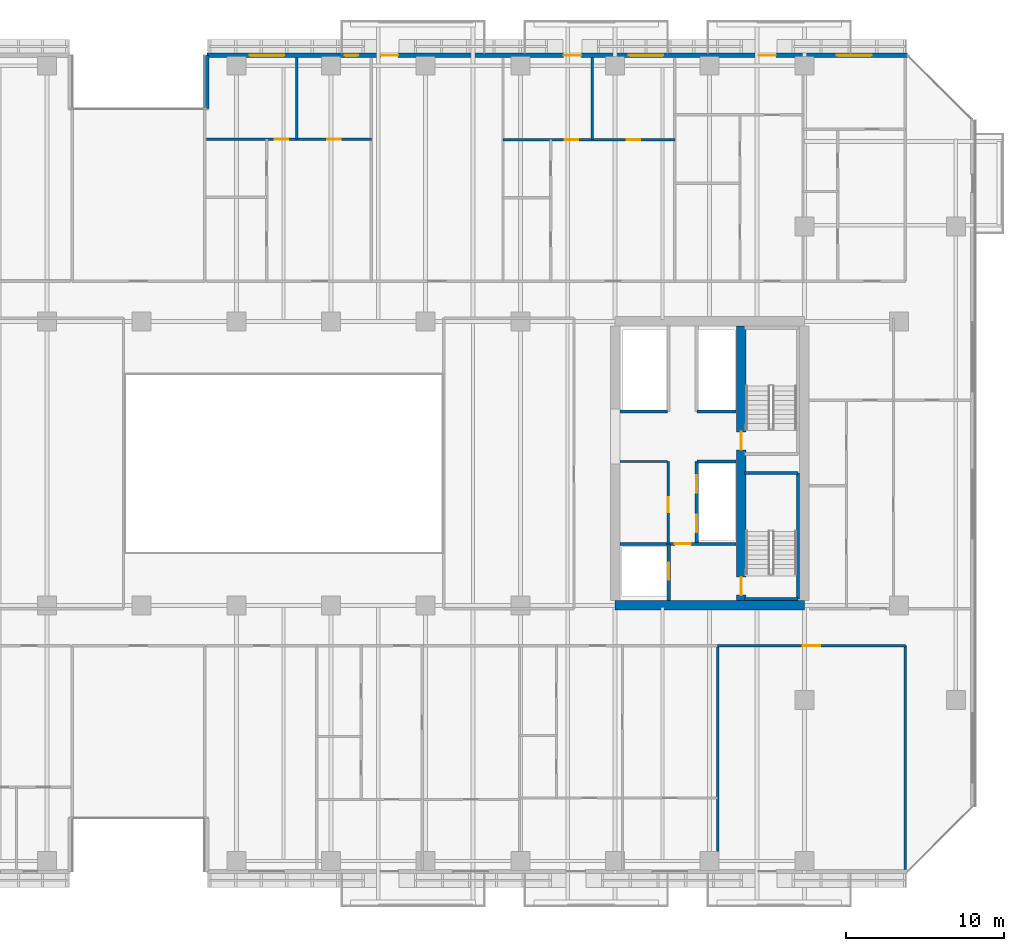
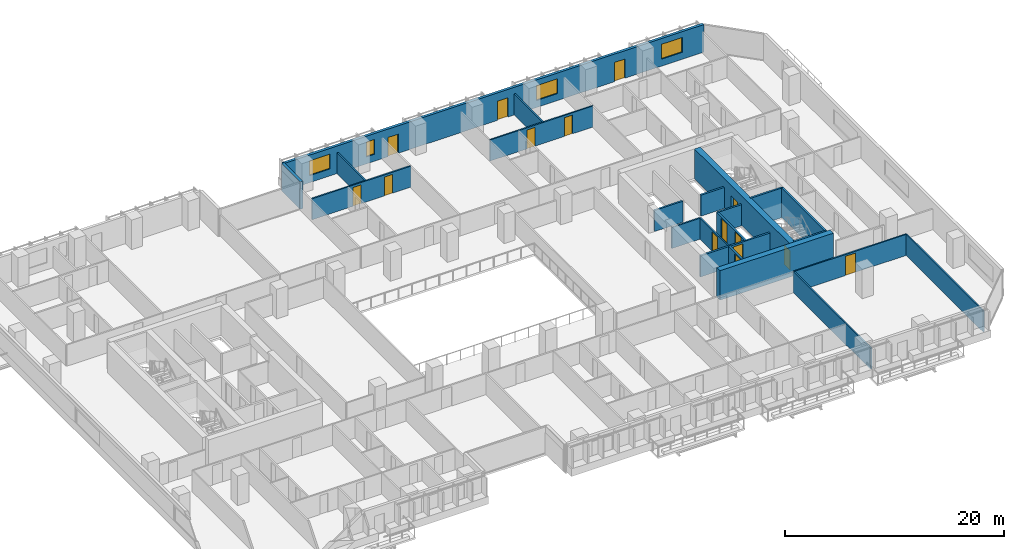
# One storey, part 22 of 33: 22 walls, 15 doors, 4 windows, 19 openings.
"""IFC4 building model written with IfcOpenShell, lengths in metres."""

from ifc_helpers import new_model, si_unit, direction, frame, frame_2d, origin, place, context, subcontext, project, spatial, rectangle, extrude, material, layer, layer_set, type_object, element, fill, save


model = new_model("IFC4")

# Units and contexts
model_context = context("Model", 3, precision=1e-05, world=origin(), true_north=direction((0.0, 1.0)))
body_context = subcontext(model_context, "Body", "Model", "MODEL_VIEW")
ifc_project = project(units=[si_unit("LENGTHUNIT", "METRE"), si_unit("AREAUNIT", "SQUARE_METRE"), si_unit("VOLUMEUNIT", "CUBIC_METRE"), si_unit("PLANEANGLEUNIT", "RADIAN"), si_unit("MASSUNIT", "GRAM", prefix="KILO")], contexts=[model_context])

# Site, building, storey
site_placement = place(None, origin())
site = spatial("IfcSite", under=ifc_project, at=site_placement, CompositionType="ELEMENT")
building_placement = place(site_placement, origin())
building = spatial("IfcBuilding", under=site, at=building_placement, Name="Tanjung Sevakor Pilgrim Tower", CompositionType="ELEMENT")
storey_placement = place(building_placement, frame((0.0, 0.0, 52.139892578125)))
storey = spatial("IfcBuildingStorey", under=building, at=storey_placement, Name="L14", CompositionType="ELEMENT", Elevation=52.139892578125)

# Wall
ifc_material_1 = material(Name="Concrete C60/75", Category="concrete")
ifc_layer_1 = layer(ifc_material_1, 0.60009765625)
ifc_layer_set_1 = layer_set([ifc_layer_1], Name="WALL-CW-600")
wall_type_1 = type_object("IfcWallType", Name="WALL-CW-600", PredefinedType="SHEAR", material=ifc_layer_set_1)
wall_1_placement = place(storey_placement, frame((78.0, 24.60009765625, 0.0), z_axis=(0.0, 0.0, 1.0), x_axis=(1.0, 0.0, 0.0)))
element("IfcWall", 1, at=wall_1_placement, inside=storey, type_object=wall_type_1, Name="L14 E Core South Shear Wall", PredefinedType="SHEAR", context=body_context, shape_type="SweptSolid", body=[
    extrude(rectangle(XDim=12.0, YDim=0.60009765625, at=frame_2d((6.0, 0.0))), origin(), (0.0, 0.0, 1.0), 3.300048828125),
])

# Wall, openings, doors
wall_2_placement = place(storey_placement, frame((86.0, 24.89990234375, 0.0), z_axis=(0.0, 0.0, 1.0), x_axis=(0.0, 1.0, 0.0)))
wall_2 = element("IfcWall", 2, at=wall_2_placement, inside=storey, type_object=wall_type_1, Name="L14 E Core Stair Spine Wall", PredefinedType="SHEAR", context=body_context, shape_type="SweptSolid", body=[
    extrude(rectangle(XDim=17.400146484375, YDim=0.60009765625, at=frame_2d((8.7001953125, 0.0))), origin(), (0.0, 0.0, 1.0), 3.300048828125),
])
opening_1_placement = place(wall_2_placement, frame((0.35009765625, 0.0, 0.0)))
opening_1 = element("IfcOpeningElement", 3, at=opening_1_placement, cuts=wall_2, Name="Opening ID-ST1", PredefinedType="OPENING", context=body_context, shape_type="SweptSolid", body=[
    extrude(rectangle(XDim=1.14990234375, YDim=2.14990234375, at=frame_2d((0.574951171875, 1.074951171875))), frame((0.0, 0.31005859375, 0.0), z_axis=(0.0, -1.0, 0.0), x_axis=(1.0, 0.0, 0.0)), (0.0, 0.0, 1.0), 0.6201171875),
])
opening_2_placement = place(wall_2_placement, frame((9.550048828125, 0.0, 0.0)))
opening_2 = element("IfcOpeningElement", 4, at=opening_2_placement, cuts=wall_2, Name="Opening ID-ST1", PredefinedType="OPENING", context=body_context, shape_type="SweptSolid", body=[
    extrude(rectangle(XDim=1.14990234375, YDim=2.14990234375, at=frame_2d((0.574951171875, 1.074951171875))), frame((0.0, 0.31005859375, 0.0), z_axis=(0.0, -1.0, 0.0), x_axis=(1.0, 0.0, 0.0)), (0.0, 0.0, 1.0), 0.6201171875),
])
ifc_material_2 = material(Name="Fire-Rated Steel S355J2", Category="steel")
door_type_1 = type_object("IfcDoorType", Name="DT-FIRE-1150", OperationType="NOTDEFINED", PredefinedType="DOOR", material=ifc_material_2)
door_1_placement = place(opening_1_placement, origin())
door_1 = element("IfcDoor", 5, at=door_1_placement, inside=storey, type_object=door_type_1, Name="L14 TS-E1 Stair Fire Door", OperationType="SINGLE_SWING_LEFT", OverallHeight=2.14990234375, OverallWidth=1.14990234375, PredefinedType="DOOR", context=body_context, shape_type="SweptSolid", body=[
    extrude(rectangle(XDim=1.14990234375, YDim=2.14990234375, at=frame_2d((0.574951171875, 1.074951171875))), frame((0.0, 0.02490234375, 0.0), z_axis=(0.0, -1.0, 0.0), x_axis=(1.0, 0.0, 0.0)), (0.0, 0.0, 1.0), 0.050048828125),
])
fill(opening_1, door_1)
door_2_placement = place(opening_2_placement, origin())
door_2 = element("IfcDoor", 6, at=door_2_placement, inside=storey, type_object=door_type_1, Name="L14 TS-E2 Stair Fire Door", OperationType="SINGLE_SWING_RIGHT", OverallHeight=2.14990234375, OverallWidth=1.14990234375, PredefinedType="DOOR", context=body_context, shape_type="SweptSolid", body=[
    extrude(rectangle(XDim=1.14990234375, YDim=2.14990234375, at=frame_2d((0.574951171875, 1.074951171875))), frame((0.0, 0.02490234375, 0.0), z_axis=(0.0, -1.0, 0.0), x_axis=(1.0, 0.0, 0.0)), (0.0, 0.0, 1.0), 0.050048828125),
])
fill(opening_2, door_2)

# Wall
ifc_material_3 = material(Name="Concrete C40/50", Category="concrete")
ifc_layer_2 = layer(ifc_material_3, 0.14990234375)
ifc_layer_set_2 = layer_set([ifc_layer_2], Name="WT-COMP-150")
wall_type_2 = type_object("IfcWallType", Name="WT-COMP-150", PredefinedType="SOLIDWALL", material=ifc_layer_set_2)
wall_3_placement = place(storey_placement, frame((78.320068359375, 33.719970703125, 0.0), z_axis=(0.0, 0.0, 1.0), x_axis=(1.0, 0.0, 0.0)))
element("IfcWall", 7, at=wall_3_placement, inside=storey, type_object=wall_type_2, Name="L14 Partition IW-L14-015", PredefinedType="SOLIDWALL", context=body_context, shape_type="SweptSolid", body=[
    extrude(rectangle(XDim=3.0, YDim=0.14990234375, at=frame_2d((1.5, 0.0))), origin(), (0.0, 0.0, 1.0), 2.35009765625),
])

# Wall, opening, door
wall_4_placement = place(storey_placement, frame((81.3798828125, 28.5, 0.0), z_axis=(0.0, 0.0, 1.0), x_axis=(0.0, 1.0, 0.0)))
wall_4 = element("IfcWall", 8, at=wall_4_placement, inside=storey, type_object=wall_type_2, Name="L14 Partition IW-L14-016", PredefinedType="SOLIDWALL", context=body_context, shape_type="SweptSolid", body=[
    extrude(rectangle(XDim=5.219970703125, YDim=0.14990234375, at=frame_2d((2.60986328125, 0.0))), origin(), (0.0, 0.0, 1.0), 2.35009765625),
])
opening_3_placement = place(wall_4_placement, frame((2.0, 0.0, 0.0)))
opening_3 = element("IfcOpeningElement", 9, at=opening_3_placement, cuts=wall_4, Name="Opening ID-FD2", PredefinedType="OPENING", context=body_context, shape_type="SweptSolid", body=[
    extrude(rectangle(XDim=0.949951171875, YDim=2.14990234375, at=frame_2d((0.47509765625, 1.074951171875))), frame((0.0, 0.0849609375, 0.0), z_axis=(0.0, -1.0, 0.0), x_axis=(1.0, 0.0, 0.0)), (0.0, 0.0, 1.0), 0.169921875),
])
ifc_material_4 = material(Name="Fire-Rated Timber", Category="wood")
door_type_2 = type_object("IfcDoorType", Name="DT-FIRE-950", OperationType="NOTDEFINED", PredefinedType="DOOR", material=ifc_material_4)
door_3_placement = place(opening_3_placement, origin())
door_3 = element("IfcDoor", 10, at=door_3_placement, inside=storey, type_object=door_type_2, Name="L14 Accessible WC Door", OperationType="SINGLE_SWING_LEFT", OverallHeight=2.14990234375, OverallWidth=0.949951171875, PredefinedType="DOOR", context=body_context, shape_type="SweptSolid", body=[
    extrude(rectangle(XDim=0.949951171875, YDim=2.14990234375, at=frame_2d((0.47509765625, 1.074951171875))), frame((0.0, 0.02490234375, 0.0), z_axis=(0.0, -1.0, 0.0), x_axis=(1.0, 0.0, 0.0)), (0.0, 0.0, 1.0), 0.050048828125),
])
fill(opening_3, door_3)

# Walls
for number, where, z_axis, x_axis, name in (
    (11, (96.39990234375, 7.8798828125, 0.0), (0.0, 0.0, 1.0), (0.0, 1.0, 0.0), "L14 Partition IW-L14-056"),
    (12, (84.50634765625, 7.8798828125, 0.0), (0.0, 0.0, 1.0), (0.0, 1.0, 0.0), "L14 Partition IW-L14-066"),
):
    element("IfcWall", number, at=place(storey_placement, frame(where, z_axis=z_axis, x_axis=x_axis)), inside=storey, type_object=wall_type_2, Name=name, PredefinedType="SOLIDWALL", context=body_context, shape_type="SweptSolid", body=[
        extrude(rectangle(XDim=14.170166015625, YDim=0.14990234375, at=frame_2d((7.0849609375, 0.0))), origin(), (0.0, 0.0, 1.0), 2.35009765625),
    ])

# Wall, opening, door
wall_5_placement = place(storey_placement, frame((84.50634765625, 22.050048828125, 0.0), z_axis=(0.0, 0.0, 1.0), x_axis=(1.0, 0.0, 0.0)))
wall_5 = element("IfcWall", 13, at=wall_5_placement, inside=storey, type_object=wall_type_2, Name="L14 Partition IW-L14-073", PredefinedType="SOLIDWALL", context=body_context, shape_type="SweptSolid", body=[
    extrude(rectangle(XDim=11.8935546875, YDim=0.14990234375, at=frame_2d((5.94677734375, 0.0))), origin(), (0.0, 0.0, 1.0), 2.35009765625),
])
opening_4_placement = place(wall_5_placement, frame((5.396728515625, 0.0, 0.0)))
opening_4 = element("IfcOpeningElement", 14, at=opening_4_placement, cuts=wall_5, Name="Opening ID-FD0", PredefinedType="OPENING", context=body_context, shape_type="SweptSolid", body=[
    extrude(rectangle(XDim=1.10009765625, YDim=2.14990234375, at=frame_2d((0.550048828125, 1.074951171875))), frame((0.0, 0.0849609375, 0.0), z_axis=(0.0, -1.0, 0.0), x_axis=(1.0, 0.0, 0.0)), (0.0, 0.0, 1.0), 0.169921875),
])
ifc_material_5 = material(Name="Fire-Rated Steel S355J2", Category="steel")
door_type_3 = type_object("IfcDoorType", Name="DT-FIRE-1100", OperationType="NOTDEFINED", PredefinedType="DOOR", material=ifc_material_5)
door_4_placement = place(opening_4_placement, origin())
door_4 = element("IfcDoor", 15, at=door_4_placement, inside=storey, type_object=door_type_3, Name="Communal Lounge Door", OperationType="SINGLE_SWING_LEFT", OverallHeight=2.14990234375, OverallWidth=1.10009765625, PredefinedType="DOOR", context=body_context, shape_type="SweptSolid", body=[
    extrude(rectangle(XDim=1.10009765625, YDim=2.14990234375, at=frame_2d((0.550048828125, 1.074951171875))), frame((0.0, 0.02490234375, 0.0), z_axis=(0.0, -1.0, 0.0), x_axis=(1.0, 0.0, 0.0)), (0.0, 0.0, 1.0), 0.050048828125),
])
fill(opening_4, door_4)

# Wall, openings, doors, windows
ifc_material_6 = material(Name="Precast concrete C45/55", Category="concrete")
ifc_layer_3 = layer(ifc_material_6, 0.280029296875)
ifc_layer_set_3 = layer_set([ifc_layer_3], Name="WT-EW-STN2")
wall_type_3 = type_object("IfcWallType", Name="WT-EW-STN2", PredefinedType="SOLIDWALL", material=ifc_layer_set_3)
wall_6_placement = place(storey_placement, frame((96.5419921875, 59.4599609375, 0.0), z_axis=(0.0, 0.0, 1.0), x_axis=(-1.0, 0.0, 0.0)))
wall_6 = element("IfcWall", 16, at=wall_6_placement, inside=storey, type_object=wall_type_3, Name="L14 MAIN Exterior Wall 9", PredefinedType="SOLIDWALL", context=body_context, shape_type="SweptSolid", body=[
    extrude(rectangle(XDim=44.402099609375, YDim=0.280029296875, at=frame_2d((22.201171875, 0.0))), origin(), (0.0, 0.0, 1.0), 3.080078125),
])
opening_5_placement = place(wall_6_placement, frame((32.2919921875, 0.0, 0.0)))
opening_5 = element("IfcOpeningElement", 17, at=opening_5_placement, cuts=wall_6, Name="Opening ED-BAL-1100", PredefinedType="OPENING", context=body_context, shape_type="SweptSolid", body=[
    extrude(rectangle(XDim=1.10009765625, YDim=2.14990234375, at=frame_2d((0.550048828125, 1.074951171875))), frame((0.0, 0.14990234375, 0.0), z_axis=(0.0, -1.0, 0.0), x_axis=(1.0, 0.0, 0.0)), (0.0, 0.0, 1.0), 0.300048828125),
])
opening_6_placement = place(wall_6_placement, frame((20.69189453125, 0.0, 0.0)))
opening_6 = element("IfcOpeningElement", 18, at=opening_6_placement, cuts=wall_6, Name="Opening ED-BAL-1100", PredefinedType="OPENING", context=body_context, shape_type="SweptSolid", body=[
    extrude(rectangle(XDim=1.10009765625, YDim=2.14990234375, at=frame_2d((0.550048828125, 1.074951171875))), frame((0.0, 0.14990234375, 0.0), z_axis=(0.0, -1.0, 0.0), x_axis=(1.0, 0.0, 0.0)), (0.0, 0.0, 1.0), 0.300048828125),
])
opening_7_placement = place(wall_6_placement, frame((8.342041015625, 0.0, 0.0)))
opening_7 = element("IfcOpeningElement", 19, at=opening_7_placement, cuts=wall_6, Name="Opening ED-BAL-1100", PredefinedType="OPENING", context=body_context, shape_type="SweptSolid", body=[
    extrude(rectangle(XDim=1.10009765625, YDim=2.14990234375, at=frame_2d((0.550048828125, 1.074951171875))), frame((0.0, 0.14990234375, 0.0), z_axis=(0.0, -1.0, 0.0), x_axis=(1.0, 0.0, 0.0)), (0.0, 0.0, 1.0), 0.300048828125),
])
opening_8_placement = place(wall_6_placement, frame((39.501953125, 0.0, 0.780029296875)))
opening_8 = element("IfcOpeningElement", 20, at=opening_8_placement, cuts=wall_6, Name="Opening WN-Z1-1660", PredefinedType="OPENING", context=body_context, shape_type="SweptSolid", body=[
    extrude(rectangle(XDim=2.199951171875, YDim=1.659912109375, at=frame_2d((1.10009765625, 0.830078125))), frame((0.0, 0.14990234375, 0.0), z_axis=(0.0, -1.0, 0.0), x_axis=(1.0, 0.0, 0.0)), (0.0, 0.0, 1.0), 0.300048828125),
])
opening_9_placement = place(wall_6_placement, frame((34.82080078125, 0.0, 0.780029296875)))
opening_9 = element("IfcOpeningElement", 21, at=opening_9_placement, cuts=wall_6, Name="Opening WN-SLM", PredefinedType="OPENING", context=body_context, shape_type="SweptSolid", body=[
    extrude(rectangle(XDim=0.85009765625, YDim=1.64990234375, at=frame_2d((0.425048828125, 0.824951171875))), frame((0.0, 0.14990234375, 0.0), z_axis=(0.0, -1.0, 0.0), x_axis=(1.0, 0.0, 0.0)), (0.0, 0.0, 1.0), 0.300048828125),
])
opening_10_placement = place(wall_6_placement, frame((15.472412109375, 0.0, 0.780029296875)))
opening_10 = element("IfcOpeningElement", 22, at=opening_10_placement, cuts=wall_6, Name="Opening WN-Z1-1660", PredefinedType="OPENING", context=body_context, shape_type="SweptSolid", body=[
    extrude(rectangle(XDim=2.199951171875, YDim=1.659912109375, at=frame_2d((1.10009765625, 0.830078125))), frame((0.0, 0.14990234375, 0.0), z_axis=(0.0, -1.0, 0.0), x_axis=(1.0, 0.0, 0.0)), (0.0, 0.0, 1.0), 0.300048828125),
])
opening_11_placement = place(wall_6_placement, frame((2.28759765625, 0.0, 0.780029296875)))
opening_11 = element("IfcOpeningElement", 23, at=opening_11_placement, cuts=wall_6, Name="Opening WN-Z1-1660", PredefinedType="OPENING", context=body_context, shape_type="SweptSolid", body=[
    extrude(rectangle(XDim=2.199951171875, YDim=1.659912109375, at=frame_2d((1.10009765625, 0.830078125))), frame((0.0, 0.14990234375, 0.0), z_axis=(0.0, -1.0, 0.0), x_axis=(1.0, 0.0, 0.0)), (0.0, 0.0, 1.0), 0.300048828125),
])
ifc_material_7 = material(Name="Anodised Aluminium and Laminated Glass", Category="aluminium")
door_type_4 = type_object("IfcDoorType", Name="DTYP-ED-BAL-1100", OperationType="NOTDEFINED", PredefinedType="DOOR", material=ifc_material_7)
door_5_placement = place(opening_5_placement, frame((1.10009765625, 0.0, 0.0), z_axis=(0.0, 0.0, 1.0), x_axis=(-1.0, 0.0, 0.0)))
door_5 = element("IfcDoor", 24, at=door_5_placement, inside=storey, type_object=door_type_4, Name="L14 Balcony Door MAIN-N2", OperationType="SINGLE_SWING_LEFT", OverallHeight=2.14990234375, OverallWidth=1.10009765625, PredefinedType="DOOR", context=body_context, shape_type="SweptSolid", body=[
    extrude(rectangle(XDim=1.10009765625, YDim=2.14990234375, at=frame_2d((0.550048828125, 1.074951171875))), frame((0.0, 0.02490234375, 0.0), z_axis=(0.0, -1.0, 0.0), x_axis=(1.0, 0.0, 0.0)), (0.0, 0.0, 1.0), 0.050048828125),
])
fill(opening_5, door_5)
door_6_placement = place(opening_6_placement, frame((1.10009765625, 0.0, 0.0), z_axis=(0.0, 0.0, 1.0), x_axis=(-1.0, 0.0, 0.0)))
door_6 = element("IfcDoor", 25, at=door_6_placement, inside=storey, type_object=door_type_4, Name="L14 Balcony Door MAIN-N3", OperationType="SINGLE_SWING_RIGHT", OverallHeight=2.14990234375, OverallWidth=1.10009765625, PredefinedType="DOOR", context=body_context, shape_type="SweptSolid", body=[
    extrude(rectangle(XDim=1.10009765625, YDim=2.14990234375, at=frame_2d((0.550048828125, 1.074951171875))), frame((0.0, 0.02490234375, 0.0), z_axis=(0.0, -1.0, 0.0), x_axis=(1.0, 0.0, 0.0)), (0.0, 0.0, 1.0), 0.050048828125),
])
fill(opening_6, door_6)
door_7_placement = place(opening_7_placement, frame((1.10009765625, 0.0, 0.0), z_axis=(0.0, 0.0, 1.0), x_axis=(-1.0, 0.0, 0.0)))
door_7 = element("IfcDoor", 26, at=door_7_placement, inside=storey, type_object=door_type_4, Name="L14 Balcony Door MAIN-N4", OperationType="SINGLE_SWING_LEFT", OverallHeight=2.14990234375, OverallWidth=1.10009765625, PredefinedType="DOOR", context=body_context, shape_type="SweptSolid", body=[
    extrude(rectangle(XDim=1.10009765625, YDim=2.14990234375, at=frame_2d((0.550048828125, 1.074951171875))), frame((0.0, 0.02490234375, 0.0), z_axis=(0.0, -1.0, 0.0), x_axis=(1.0, 0.0, 0.0)), (0.0, 0.0, 1.0), 0.050048828125),
])
fill(opening_7, door_7)
ifc_material_8 = material(Name="Thermally Broken Aluminium and Low-E Glass", Category="aluminium")
window_type_1 = type_object("IfcWindowType", Name="WTYP-WN-SLM", PartitioningType="SINGLE_PANEL", PredefinedType="WINDOW", material=ifc_material_8)
window_1_placement = place(opening_9_placement, origin())
window_1 = element("IfcWindow", 27, at=window_1_placement, inside=storey, type_object=window_type_1, Name="L14 Facade Window 02", OverallHeight=1.64990234375, OverallWidth=0.85009765625, PartitioningType="SINGLE_PANEL", PredefinedType="WINDOW", context=body_context, shape_type="SweptSolid", body=[
    extrude(rectangle(XDim=0.85009765625, YDim=1.64990234375, at=frame_2d((0.425048828125, 0.824951171875))), frame((0.0, 0.030029296875, 0.0), z_axis=(0.0, -1.0, 0.0), x_axis=(1.0, 0.0, 0.0)), (0.0, 0.0, 1.0), 0.06005859375),
])
fill(opening_9, window_1)
ifc_material_9 = material(Name="Thermally Broken Aluminium and Low-E Glass", Category="aluminium")
window_type_2 = type_object("IfcWindowType", Name="WTYP-WN-Z1-1660", PartitioningType="DOUBLE_PANEL_VERTICAL", PredefinedType="WINDOW", material=ifc_material_9)
window_2_placement = place(opening_8_placement, origin())
window_2 = element("IfcWindow", 28, at=window_2_placement, inside=storey, type_object=window_type_2, Name="L14 Facade Window 01", OverallHeight=1.659912109375, OverallWidth=2.199951171875, PartitioningType="SINGLE_PANEL", PredefinedType="WINDOW", context=body_context, shape_type="SweptSolid", body=[
    extrude(rectangle(XDim=2.199951171875, YDim=1.659912109375, at=frame_2d((1.10009765625, 0.830078125))), frame((0.0, 0.030029296875, 0.0), z_axis=(0.0, -1.0, 0.0), x_axis=(1.0, 0.0, 0.0)), (0.0, 0.0, 1.0), 0.06005859375),
])
fill(opening_8, window_2)
window_3_placement = place(opening_10_placement, origin())
window_3 = element("IfcWindow", 29, at=window_3_placement, inside=storey, type_object=window_type_2, Name="L14 Facade Window 03", OverallHeight=1.659912109375, OverallWidth=2.199951171875, PartitioningType="SINGLE_PANEL", PredefinedType="WINDOW", context=body_context, shape_type="SweptSolid", body=[
    extrude(rectangle(XDim=2.199951171875, YDim=1.659912109375, at=frame_2d((1.10009765625, 0.830078125))), frame((0.0, 0.030029296875, 0.0), z_axis=(0.0, -1.0, 0.0), x_axis=(1.0, 0.0, 0.0)), (0.0, 0.0, 1.0), 0.06005859375),
])
fill(opening_10, window_3)
window_4_placement = place(opening_11_placement, origin())
window_4 = element("IfcWindow", 30, at=window_4_placement, inside=storey, type_object=window_type_2, Name="L14 Facade Window 04", OverallHeight=1.659912109375, OverallWidth=2.199951171875, PartitioningType="SINGLE_PANEL", PredefinedType="WINDOW", context=body_context, shape_type="SweptSolid", body=[
    extrude(rectangle(XDim=2.199951171875, YDim=1.659912109375, at=frame_2d((1.10009765625, 0.830078125))), frame((0.0, 0.030029296875, 0.0), z_axis=(0.0, -1.0, 0.0), x_axis=(1.0, 0.0, 0.0)), (0.0, 0.0, 1.0), 0.06005859375),
])
fill(opening_11, window_4)

# Walls
wall_7_placement = place(storey_placement, frame((52.139892578125, 59.4599609375, 0.0), z_axis=(0.0, 0.0, 1.0), x_axis=(0.0, -1.0, 0.0)))
element("IfcWall", 31, at=wall_7_placement, inside=storey, type_object=wall_type_3, Name="L14 MAIN Exterior Wall 10", PredefinedType="SOLIDWALL", context=body_context, shape_type="SweptSolid", body=[
    extrude(rectangle(XDim=3.39990234375, YDim=0.280029296875, at=frame_2d((1.699951171875, 0.0))), origin(), (0.0, 0.0, 1.0), 3.080078125),
])
ifc_material_10 = material(Name="Concrete C40/50", Category="concrete")
ifc_layer_4 = layer(ifc_material_10, 0.199951171875)
ifc_layer_set_4 = layer_set([ifc_layer_4], Name="WT-FIRE-200")
wall_type_4 = type_object("IfcWallType", Name="WT-FIRE-200", PredefinedType="SOLIDWALL", material=ifc_layer_set_4)
wall_8_placement = place(storey_placement, frame((86.199951171875, 25.0, 0.0), z_axis=(0.0, 0.0, 1.0), x_axis=(1.0, 0.0, 0.0)))
element("IfcWall", 32, at=wall_8_placement, inside=storey, type_object=wall_type_4, Name="L14 TS-E1 Shaft Wall 1", PredefinedType="SOLIDWALL", context=body_context, shape_type="SweptSolid", body=[
    extrude(rectangle(XDim=3.400146484375, YDim=0.199951171875, at=frame_2d((1.7001953125, 0.0))), origin(), (0.0, 0.0, 1.0), 3.300048828125),
])
wall_9_placement = place(storey_placement, frame((89.60009765625, 25.0, 0.0), z_axis=(0.0, 0.0, 1.0), x_axis=(0.0, 1.0, 0.0)))
element("IfcWall", 33, at=wall_9_placement, inside=storey, type_object=wall_type_4, Name="L14 TS-E1 Shaft Wall 2", PredefinedType="SOLIDWALL", context=body_context, shape_type="SweptSolid", body=[
    extrude(rectangle(XDim=8.0, YDim=0.199951171875, at=frame_2d((4.0, 0.0))), origin(), (0.0, 0.0, 1.0), 3.300048828125),
])
wall_10_placement = place(storey_placement, frame((89.60009765625, 33.0, 0.0), z_axis=(0.0, 0.0, 1.0), x_axis=(-1.0, 0.0, 0.0)))
element("IfcWall", 34, at=wall_10_placement, inside=storey, type_object=wall_type_4, Name="L14 TS-E1 Shaft Wall 3", PredefinedType="SOLIDWALL", context=body_context, shape_type="SweptSolid", body=[
    extrude(rectangle(XDim=3.400146484375, YDim=0.199951171875, at=frame_2d((1.7001953125, 0.0))), origin(), (0.0, 0.0, 1.0), 3.300048828125),
])

# Wall, opening, door
ifc_material_11 = material(Name="Concrete C40/50", Category="concrete")
ifc_layer_5 = layer(ifc_material_11, 0.199951171875)
ifc_layer_set_5 = layer_set([ifc_layer_5], Name="WT-FPRT-200")
wall_type_5 = type_object("IfcWallType", Name="WT-FPRT-200", PredefinedType="SOLIDWALL", material=ifc_layer_set_5)
wall_11_placement = place(storey_placement, frame((81.39990234375, 24.919921875, 0.0), z_axis=(0.0, 0.0, 1.0), x_axis=(0.0, 1.0, 0.0)))
wall_11 = element("IfcWall", 35, at=wall_11_placement, inside=storey, type_object=wall_type_5, Name="L14 Partition IW-L14-011", PredefinedType="SOLIDWALL", context=body_context, shape_type="SweptSolid", body=[
    extrude(rectangle(XDim=3.580078125, YDim=0.199951171875, at=frame_2d((1.7900390625, 0.0))), origin(), (0.0, 0.0, 1.0), 2.35009765625),
])
opening_12_placement = place(wall_11_placement, frame((1.300048828125, 0.0, 0.0)))
opening_12 = element("IfcOpeningElement", 36, at=opening_12_placement, cuts=wall_11, Name="Opening LD-1100", PredefinedType="OPENING", context=body_context, shape_type="SweptSolid", body=[
    extrude(rectangle(XDim=1.10009765625, YDim=2.199951171875, at=frame_2d((0.550048828125, 1.10009765625))), frame((0.0, 0.10986328125, 0.0), z_axis=(0.0, -1.0, 0.0), x_axis=(1.0, 0.0, 0.0)), (0.0, 0.0, 1.0), 0.219970703125),
])
ifc_material_12 = material(Name="Brushed Stainless Steel S355J2", Category="steel")
door_type_5 = type_object("IfcDoorType", Name="DT-LIFT-1100", OperationType="SLIDING_TO_LEFT", PredefinedType="DOOR", material=ifc_material_12)
door_8_placement = place(opening_12_placement, origin())
door_8 = element("IfcDoor", 37, at=door_8_placement, inside=storey, type_object=door_type_5, Name="LD-FL-E", OperationType="SLIDING_TO_LEFT", OverallHeight=2.199951171875, OverallWidth=1.10009765625, PredefinedType="DOOR", context=body_context, shape_type="SweptSolid", body=[
    extrude(rectangle(XDim=1.10009765625, YDim=2.199951171875, at=frame_2d((0.550048828125, 1.10009765625))), frame((0.0, 0.02490234375, 0.0), z_axis=(0.0, -1.0, 0.0), x_axis=(1.0, 0.0, 0.0)), (0.0, 0.0, 1.0), 0.050048828125),
])
fill(opening_12, door_8)

wall_12_placement = place(storey_placement, frame((78.320068359375, 28.5, 0.0), z_axis=(0.0, 0.0, 1.0), x_axis=(1.0, 0.0, 0.0)))
wall_12 = element("IfcWall", 38, at=wall_12_placement, inside=storey, type_object=wall_type_5, Name="L14 Partition IW-L14-012", PredefinedType="SOLIDWALL", context=body_context, shape_type="SweptSolid", body=[
    extrude(rectangle(XDim=7.35986328125, YDim=0.199951171875, at=frame_2d((3.679931640625, 0.0))), origin(), (0.0, 0.0, 1.0), 2.35009765625),
])
opening_13_placement = place(wall_12_placement, frame((3.47998046875, 0.0, 0.0)))
opening_13 = element("IfcOpeningElement", 39, at=opening_13_placement, cuts=wall_12, Name="Opening ID-FD1", PredefinedType="OPENING", context=body_context, shape_type="SweptSolid", body=[
    extrude(rectangle(XDim=1.0, YDim=2.14990234375, at=frame_2d((0.5, 1.074951171875))), frame((0.0, 0.10986328125, 0.0), z_axis=(0.0, -1.0, 0.0), x_axis=(1.0, 0.0, 0.0)), (0.0, 0.0, 1.0), 0.219970703125),
])
ifc_material_13 = material(Name="Fire-Rated Steel S355J2", Category="steel")
door_type_6 = type_object("IfcDoorType", Name="DT-FIRE-1000", OperationType="NOTDEFINED", PredefinedType="DOOR", material=ifc_material_13)
door_9_placement = place(opening_13_placement, origin())
door_9 = element("IfcDoor", 40, at=door_9_placement, inside=storey, type_object=door_type_6, Name="Fire Lobby Door E", OperationType="SINGLE_SWING_RIGHT", OverallHeight=2.14990234375, OverallWidth=1.0, PredefinedType="DOOR", context=body_context, shape_type="SweptSolid", body=[
    extrude(rectangle(XDim=1.0, YDim=2.14990234375, at=frame_2d((0.5, 1.074951171875))), frame((0.0, 0.02490234375, 0.0), z_axis=(0.0, -1.0, 0.0), x_axis=(1.0, 0.0, 0.0)), (0.0, 0.0, 1.0), 0.050048828125),
])
fill(opening_13, door_9)

# Wall
wall_13_placement = place(storey_placement, frame((83.199951171875, 33.719970703125, 0.0), z_axis=(0.0, 0.0, 1.0), x_axis=(1.0, 0.0, 0.0)))
element("IfcWall", 41, at=wall_13_placement, inside=storey, type_object=wall_type_5, Name="L14 Partition IW-L14-013", PredefinedType="SOLIDWALL", context=body_context, shape_type="SweptSolid", body=[
    extrude(rectangle(XDim=2.47998046875, YDim=0.199951171875, at=frame_2d((1.239990234375, 0.0))), origin(), (0.0, 0.0, 1.0), 2.35009765625),
])

# Wall, openings, doors
wall_14_placement = place(storey_placement, frame((83.179931640625, 28.5, 0.0), z_axis=(0.0, 0.0, 1.0), x_axis=(0.0, 1.0, 0.0)))
wall_14 = element("IfcWall", 42, at=wall_14_placement, inside=storey, type_object=wall_type_5, Name="L14 Partition IW-L14-014", PredefinedType="SOLIDWALL", context=body_context, shape_type="SweptSolid", body=[
    extrude(rectangle(XDim=5.219970703125, YDim=0.199951171875, at=frame_2d((2.60986328125, 0.0))), origin(), (0.0, 0.0, 1.0), 2.35009765625),
])
opening_14_placement = place(wall_14_placement, frame((0.75, 0.0, 0.0)))
opening_14 = element("IfcOpeningElement", 43, at=opening_14_placement, cuts=wall_14, Name="Opening LD-1100", PredefinedType="OPENING", context=body_context, shape_type="SweptSolid", body=[
    extrude(rectangle(XDim=1.10009765625, YDim=2.199951171875, at=frame_2d((0.550048828125, 1.10009765625))), frame((0.0, 0.10986328125, 0.0), z_axis=(0.0, -1.0, 0.0), x_axis=(1.0, 0.0, 0.0)), (0.0, 0.0, 1.0), 0.219970703125),
])
opening_15_placement = place(wall_14_placement, frame((3.25, 0.0, 0.0)))
opening_15 = element("IfcOpeningElement", 44, at=opening_15_placement, cuts=wall_14, Name="Opening LD-1100", PredefinedType="OPENING", context=body_context, shape_type="SweptSolid", body=[
    extrude(rectangle(XDim=1.10009765625, YDim=2.199951171875, at=frame_2d((0.550048828125, 1.10009765625))), frame((0.0, 0.10986328125, 0.0), z_axis=(0.0, -1.0, 0.0), x_axis=(1.0, 0.0, 0.0)), (0.0, 0.0, 1.0), 0.219970703125),
])
door_10_placement = place(opening_14_placement, origin())
door_10 = element("IfcDoor", 45, at=door_10_placement, inside=storey, type_object=door_type_5, Name="LD-PLL1-E", OperationType="SLIDING_TO_LEFT", OverallHeight=2.199951171875, OverallWidth=1.10009765625, PredefinedType="DOOR", context=body_context, shape_type="SweptSolid", body=[
    extrude(rectangle(XDim=1.10009765625, YDim=2.199951171875, at=frame_2d((0.550048828125, 1.10009765625))), frame((0.0, 0.02490234375, 0.0), z_axis=(0.0, -1.0, 0.0), x_axis=(1.0, 0.0, 0.0)), (0.0, 0.0, 1.0), 0.050048828125),
])
fill(opening_14, door_10)
door_11_placement = place(opening_15_placement, origin())
door_11 = element("IfcDoor", 46, at=door_11_placement, inside=storey, type_object=door_type_5, Name="LD-PLL2-E", OperationType="SLIDING_TO_RIGHT", OverallHeight=2.199951171875, OverallWidth=1.10009765625, PredefinedType="DOOR", context=body_context, shape_type="SweptSolid", body=[
    extrude(rectangle(XDim=1.10009765625, YDim=2.199951171875, at=frame_2d((0.550048828125, 1.10009765625))), frame((0.0, 0.02490234375, 0.0), z_axis=(0.0, -1.0, 0.0), x_axis=(1.0, 0.0, 0.0)), (0.0, 0.0, 1.0), 0.050048828125),
])
fill(opening_15, door_11)

# Walls
wall_15_placement = place(storey_placement, frame((83.199951171875, 36.8798828125, 0.0), z_axis=(0.0, 0.0, 1.0), x_axis=(1.0, 0.0, 0.0)))
element("IfcWall", 47, at=wall_15_placement, inside=storey, type_object=wall_type_5, Name="L14 Partition IW-L14-017", PredefinedType="SOLIDWALL", context=body_context, shape_type="SweptSolid", body=[
    extrude(rectangle(XDim=2.47998046875, YDim=0.199951171875, at=frame_2d((1.239990234375, 0.0))), origin(), (0.0, 0.0, 1.0), 2.35009765625),
])
wall_16_placement = place(storey_placement, frame((78.320068359375, 36.8798828125, 0.0), z_axis=(0.0, 0.0, 1.0), x_axis=(1.0, 0.0, 0.0)))
element("IfcWall", 48, at=wall_16_placement, inside=storey, type_object=wall_type_5, Name="L14 Partition IW-L14-019", PredefinedType="SOLIDWALL", context=body_context, shape_type="SweptSolid", body=[
    extrude(rectangle(XDim=3.0, YDim=0.199951171875, at=frame_2d((1.5, 0.0))), origin(), (0.0, 0.0, 1.0), 2.35009765625),
])
ifc_material_14 = material(Name="Gypsum Board Partition", Category="gypsum board")
ifc_layer_6 = layer(ifc_material_14, 0.14990234375)
ifc_layer_set_6 = layer_set([ifc_layer_6], Name="WT-PART-150")
wall_type_6 = type_object("IfcWallType", Name="WT-PART-150", PredefinedType="PARTITIONING", material=ifc_layer_set_6)
wall_17_placement = place(storey_placement, frame((57.820068359375, 54.14453125, 0.0), z_axis=(0.0, 0.0, 1.0), x_axis=(0.0, 1.0, 0.0)))
element("IfcWall", 49, at=wall_17_placement, inside=storey, type_object=wall_type_6, Name="L14 Partition IW-L14-086", PredefinedType="PARTITIONING", context=body_context, shape_type="SweptSolid", body=[
    extrude(rectangle(XDim=5.175537109375, YDim=0.14990234375, at=frame_2d((2.587890625, 0.0))), origin(), (0.0, 0.0, 1.0), 2.35009765625),
])

# Wall, openings, doors
wall_18_placement = place(storey_placement, frame((52.1201171875, 54.14453125, 0.0), z_axis=(0.0, 0.0, 1.0), x_axis=(1.0, 0.0, 0.0)))
wall_18 = element("IfcWall", 50, at=wall_18_placement, inside=storey, type_object=wall_type_6, Name="L14 Partition IW-L14-087", PredefinedType="PARTITIONING", context=body_context, shape_type="SweptSolid", body=[
    extrude(rectangle(XDim=10.432373046875, YDim=0.14990234375, at=frame_2d((5.21630859375, 0.0))), origin(), (0.0, 0.0, 1.0), 2.35009765625),
])
opening_16_placement = place(wall_18_placement, frame((4.324951171875, 0.0, 0.0)))
opening_16 = element("IfcOpeningElement", 51, at=opening_16_placement, cuts=wall_18, Name="Opening ID-WC1", PredefinedType="OPENING", context=body_context, shape_type="SweptSolid", body=[
    extrude(rectangle(XDim=0.85009765625, YDim=2.10009765625, at=frame_2d((0.425048828125, 1.050048828125))), frame((0.0, 0.0849609375, 0.0), z_axis=(0.0, -1.0, 0.0), x_axis=(1.0, 0.0, 0.0)), (0.0, 0.0, 1.0), 0.169921875),
])
opening_17_placement = place(wall_18_placement, frame((7.641357421875, 0.0, 0.0)))
opening_17 = element("IfcOpeningElement", 52, at=opening_17_placement, cuts=wall_18, Name="Opening ID-WC1", PredefinedType="OPENING", context=body_context, shape_type="SweptSolid", body=[
    extrude(rectangle(XDim=0.85009765625, YDim=2.10009765625, at=frame_2d((0.425048828125, 1.050048828125))), frame((0.0, 0.0849609375, 0.0), z_axis=(0.0, -1.0, 0.0), x_axis=(1.0, 0.0, 0.0)), (0.0, 0.0, 1.0), 0.169921875),
])
ifc_material_15 = material(Name="Moisture-Resistant Timber", Category="wood")
door_type_7 = type_object("IfcDoorType", Name="DT-INT-850", OperationType="NOTDEFINED", PredefinedType="DOOR", material=ifc_material_15)
door_12_placement = place(opening_16_placement, origin())
door_12 = element("IfcDoor", 53, at=door_12_placement, inside=storey, type_object=door_type_7, Name="Suite Bedroom 1 Door", OperationType="SINGLE_SWING_RIGHT", OverallHeight=2.10009765625, OverallWidth=0.85009765625, PredefinedType="DOOR", context=body_context, shape_type="SweptSolid", body=[
    extrude(rectangle(XDim=0.85009765625, YDim=2.10009765625, at=frame_2d((0.425048828125, 1.050048828125))), frame((0.0, 0.02490234375, 0.0), z_axis=(0.0, -1.0, 0.0), x_axis=(1.0, 0.0, 0.0)), (0.0, 0.0, 1.0), 0.050048828125),
])
fill(opening_16, door_12)
door_13_placement = place(opening_17_placement, origin())
door_13 = element("IfcDoor", 54, at=door_13_placement, inside=storey, type_object=door_type_7, Name="Suite Bedroom 2 Door", OperationType="SINGLE_SWING_LEFT", OverallHeight=2.10009765625, OverallWidth=0.85009765625, PredefinedType="DOOR", context=body_context, shape_type="SweptSolid", body=[
    extrude(rectangle(XDim=0.85009765625, YDim=2.10009765625, at=frame_2d((0.425048828125, 1.050048828125))), frame((0.0, 0.02490234375, 0.0), z_axis=(0.0, -1.0, 0.0), x_axis=(1.0, 0.0, 0.0)), (0.0, 0.0, 1.0), 0.050048828125),
])
fill(opening_17, door_13)

# Wall
wall_19_placement = place(storey_placement, frame((76.564453125, 54.1201171875, 0.0), z_axis=(0.0, 0.0, 1.0), x_axis=(0.0, 1.0, 0.0)))
element("IfcWall", 55, at=wall_19_placement, inside=storey, type_object=wall_type_6, Name="L14 Partition IW-L14-094", PredefinedType="PARTITIONING", context=body_context, shape_type="SweptSolid", body=[
    extrude(rectangle(XDim=5.199951171875, YDim=0.14990234375, at=frame_2d((2.60009765625, 0.0))), origin(), (0.0, 0.0, 1.0), 2.35009765625),
])

# Wall, openings, doors
wall_20_placement = place(storey_placement, frame((70.8984375, 54.1201171875, 0.0), z_axis=(0.0, 0.0, 1.0), x_axis=(1.0, 0.0, 0.0)))
wall_20 = element("IfcWall", 56, at=wall_20_placement, inside=storey, type_object=wall_type_6, Name="L14 Partition IW-L14-095", PredefinedType="PARTITIONING", context=body_context, shape_type="SweptSolid", body=[
    extrude(rectangle(XDim=10.896240234375, YDim=0.14990234375, at=frame_2d((5.4482421875, 0.0))), origin(), (0.0, 0.0, 1.0), 2.35009765625),
])
opening_18_placement = place(wall_20_placement, frame((3.918701171875, 0.0, 0.0)))
opening_18 = element("IfcOpeningElement", 57, at=opening_18_placement, cuts=wall_20, Name="Opening ID-WC1", PredefinedType="OPENING", context=body_context, shape_type="SweptSolid", body=[
    extrude(rectangle(XDim=0.85009765625, YDim=2.10009765625, at=frame_2d((0.425048828125, 1.050048828125))), frame((0.0, 0.0849609375, 0.0), z_axis=(0.0, -1.0, 0.0), x_axis=(1.0, 0.0, 0.0)), (0.0, 0.0, 1.0), 0.169921875),
])
opening_19_placement = place(wall_20_placement, frame((7.856201171875, 0.0, 0.0)))
opening_19 = element("IfcOpeningElement", 58, at=opening_19_placement, cuts=wall_20, Name="Opening ID-WC1", PredefinedType="OPENING", context=body_context, shape_type="SweptSolid", body=[
    extrude(rectangle(XDim=0.85009765625, YDim=2.10009765625, at=frame_2d((0.425048828125, 1.050048828125))), frame((0.0, 0.0849609375, 0.0), z_axis=(0.0, -1.0, 0.0), x_axis=(1.0, 0.0, 0.0)), (0.0, 0.0, 1.0), 0.169921875),
])
door_14_placement = place(opening_18_placement, origin())
door_14 = element("IfcDoor", 59, at=door_14_placement, inside=storey, type_object=door_type_7, Name="Suite Bedroom 1 Door", OperationType="SINGLE_SWING_RIGHT", OverallHeight=2.10009765625, OverallWidth=0.85009765625, PredefinedType="DOOR", context=body_context, shape_type="SweptSolid", body=[
    extrude(rectangle(XDim=0.85009765625, YDim=2.10009765625, at=frame_2d((0.425048828125, 1.050048828125))), frame((0.0, 0.02490234375, 0.0), z_axis=(0.0, -1.0, 0.0), x_axis=(1.0, 0.0, 0.0)), (0.0, 0.0, 1.0), 0.050048828125),
])
fill(opening_18, door_14)
door_15_placement = place(opening_19_placement, origin())
door_15 = element("IfcDoor", 60, at=door_15_placement, inside=storey, type_object=door_type_7, Name="Suite Bedroom 2 Door", OperationType="SINGLE_SWING_LEFT", OverallHeight=2.10009765625, OverallWidth=0.85009765625, PredefinedType="DOOR", context=body_context, shape_type="SweptSolid", body=[
    extrude(rectangle(XDim=0.85009765625, YDim=2.10009765625, at=frame_2d((0.425048828125, 1.050048828125))), frame((0.0, 0.02490234375, 0.0), z_axis=(0.0, -1.0, 0.0), x_axis=(1.0, 0.0, 0.0)), (0.0, 0.0, 1.0), 0.050048828125),
])
fill(opening_19, door_15)

save(model, "model.ifc")
